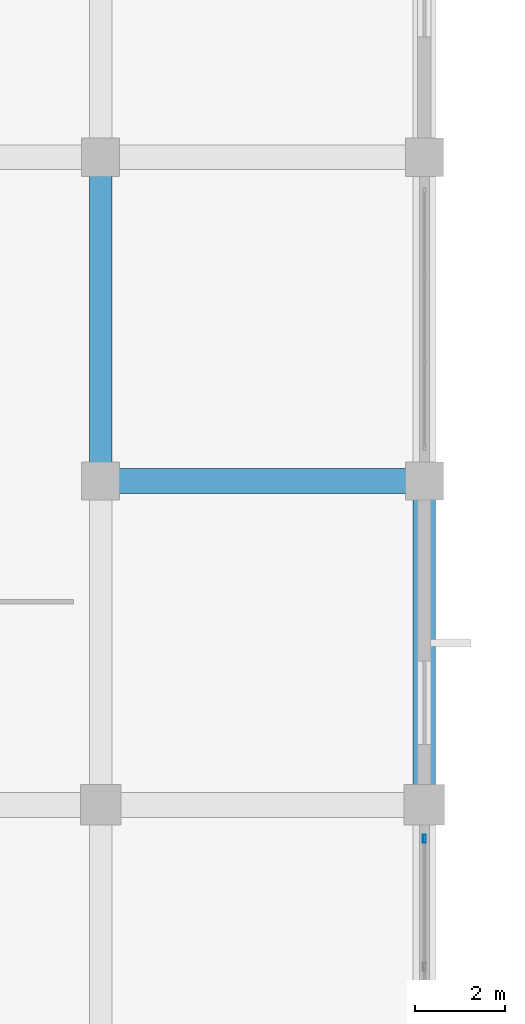
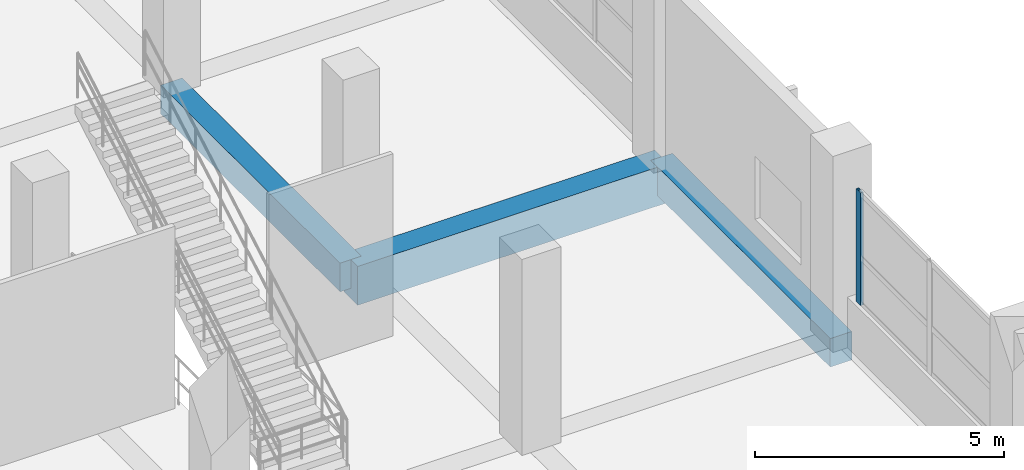
# One storey, part 58 of 181: 3 beams, 1 member, 1 element without a shape of its own.
"""IFC4 building model written with IfcOpenShell, lengths in metres."""

import ifcopenshell
import ifcopenshell.guid

model = None  # the IFC model being written
_history = None  # IfcOwnerHistory: only IFC2X3 demands one
_inside = {}  # id of a spatial element -> (the spatial element, [elements in it])
_under = {}  # id of a project, library or spatial element -> (it, [spatial elements below it])
_declared = {}  # id of a project -> (the project, [libraries it declares])
_typed = {}  # id of a type object -> (the type object, [elements of that type])
_made_of = {}  # id of a material, layer set ... -> (it, [elements and type objects made of it])


def new_model(schema):
    """Start an empty IFC model of exactly this schema.

    Asked for "IFC4X3", IfcOpenShell would pick the latest addendum, in which some entities
    have other attributes; the version numbers below select the first issue.
    IFC2X3 requires an IfcOwnerHistory on every rooted entity: one is made here for all.
    """
    global model, _history
    if schema == "IFC4X3":
        model = ifcopenshell.file(schema_version=(4, 3, 0, 0))
    else:
        model = ifcopenshell.file(schema=schema)
    _inside.clear()
    _under.clear()
    _declared.clear()
    _typed.clear()
    _made_of.clear()
    _history = None
    if model.schema == "IFC2X3":
        org = make("IfcOrganization", Name="unknown")
        user = make(
            "IfcPersonAndOrganization",
            ThePerson=make("IfcPerson", FamilyName="unknown"),
            TheOrganization=org,
        )
        app = make(
            "IfcApplication",
            ApplicationDeveloper=org,
            Version="unknown",
            ApplicationFullName="unknown",
            ApplicationIdentifier="unknown",
        )
        _history = make(
            "IfcOwnerHistory",
            OwningUser=user,
            OwningApplication=app,
            ChangeAction="ADDED",
            CreationDate=0,
        )
    return model


def make(cls, **values):
    """One entity of the class cls with the attributes given. An attribute that is None is left unset."""
    return model.create_entity(
        cls, **{name: value for name, value in values.items() if value is not None}
    )


def rooted(cls, **values):
    """An entity with a GlobalId (a new one), such as an element, a storey or a relation."""
    return make(cls, GlobalId=ifcopenshell.guid.new(), OwnerHistory=_history, **values)


def si_unit(unit_type, name, prefix=None):
    """IfcSIUnit, for example si_unit("LENGTHUNIT", "METRE", prefix="MILLI")."""
    return make("IfcSIUnit", UnitType=unit_type, Prefix=prefix, Name=name)


def assignment(units):
    """IfcUnitAssignment: the units of a project."""
    return None if units is None else make("IfcUnitAssignment", Units=units)


def point(xyz):
    """IfcCartesianPoint."""
    return None if xyz is None else make("IfcCartesianPoint", Coordinates=xyz)


def direction(xyz):
    """IfcDirection."""
    return None if xyz is None else make("IfcDirection", DirectionRatios=xyz)


def frame(location, z_axis=None, x_axis=None):
    """IfcAxis2Placement3D, a coordinate frame: its origin and axes. An axis left out is left unset."""
    return make(
        "IfcAxis2Placement3D",
        Location=point(location),
        Axis=direction(z_axis),
        RefDirection=direction(x_axis),
    )


def frame_2d(location, x_axis=None):
    """IfcAxis2Placement2D, a coordinate frame in the plane: its origin and x axis."""
    return make(
        "IfcAxis2Placement2D", Location=point(location), RefDirection=direction(x_axis)
    )


def origin():
    """The frame at (0, 0, 0) with its axes left unset."""
    return frame((0.0, 0.0, 0.0))


def origin_2d():
    """The frame at (0, 0) in the plane with its x axis left unset."""
    return frame_2d((0.0, 0.0))


def place(relative_to, where):
    """IfcLocalPlacement: puts the frame where relative to a parent placement (None: the world)."""
    return make(
        "IfcLocalPlacement", PlacementRelTo=relative_to, RelativePlacement=where
    )


def context(
    kind, dimensions, precision=None, world=None, true_north=None, identifier=None
):
    """IfcGeometricRepresentationContext, for example the 3D "Model" context."""
    return make(
        "IfcGeometricRepresentationContext",
        ContextIdentifier=identifier,
        ContextType=kind,
        CoordinateSpaceDimension=dimensions,
        Precision=precision,
        WorldCoordinateSystem=world,
        TrueNorth=true_north,
    )


def subcontext(parent, identifier, kind, view, scale=None):
    """IfcGeometricRepresentationSubContext, for example "Body" below "Model"."""
    return make(
        "IfcGeometricRepresentationSubContext",
        ContextIdentifier=identifier,
        ContextType=kind,
        ParentContext=parent,
        TargetScale=scale,
        TargetView=view,
    )


def project(units=None, contexts=None):
    """IfcProject with its units and contexts."""
    return rooted(
        "IfcProject",
        Name="project",
        RepresentationContexts=contexts,
        UnitsInContext=assignment(units),
    )


def spatial(cls, under=None, at=None, **own):
    """A site, building, storey or space (cls), placed at a placement, below another one or the project."""
    s = rooted(cls, ObjectPlacement=at, **own)
    if under is not None:
        _under.setdefault(under.id(), (under, []))[1].append(s)
    return s


def profile(cls, at=None, kind="AREA", **sizes):
    """A parametric profile (cls). Its sizes go by their IFC names, for example OverallWidth=200.0."""
    return make(cls, ProfileType=kind, Position=at, **sizes)


def rectangle(**sizes):
    """IfcRectangleProfileDef."""
    return profile("IfcRectangleProfileDef", **sizes)


def hollow_rectangle(**sizes):
    """IfcRectangleHollowProfileDef."""
    return profile("IfcRectangleHollowProfileDef", **sizes)


def extrude(swept, where, along, depth):
    """IfcExtrudedAreaSolid: the profile swept, set in the frame where, extruded along a direction by depth."""
    return make(
        "IfcExtrudedAreaSolid",
        SweptArea=swept,
        Position=where,
        ExtrudedDirection=direction(along),
        Depth=depth,
    )


def shape(context_of_items, identifier, shape_type, items):
    """IfcShapeRepresentation: the items that make up one representation, for example the "Body"."""
    return make(
        "IfcShapeRepresentation",
        ContextOfItems=context_of_items,
        RepresentationIdentifier=identifier,
        RepresentationType=shape_type,
        Items=items,
    )


def material(Name=None, Category=None):
    """IfcMaterial."""
    return make("IfcMaterial", Name=Name, Category=Category)


def layer(
    of_material, thickness, ventilated=None, Name=None, Category=None, Priority=None
):
    """IfcMaterialLayer: one layer of a wall or slab, of a material (None: an air gap)."""
    return make(
        "IfcMaterialLayer",
        Material=of_material,
        LayerThickness=thickness,
        IsVentilated=ventilated,
        Name=Name,
        Category=Category,
        Priority=Priority,
    )


def layer_set(layers, Name=None):
    """IfcMaterialLayerSet."""
    return make("IfcMaterialLayerSet", MaterialLayers=layers, LayerSetName=Name)


def material_profile(
    of_material, cross_section, Name=None, Category=None, Priority=None
):
    """IfcMaterialProfile: a cross section and its material."""
    return make(
        "IfcMaterialProfile",
        Name=Name,
        Material=of_material,
        Profile=cross_section,
        Priority=Priority,
        Category=Category,
    )


def profile_set(profiles, Name=None, composite=None):
    """IfcMaterialProfileSet."""
    return make(
        "IfcMaterialProfileSet",
        Name=Name,
        MaterialProfiles=profiles,
        CompositeProfile=composite,
    )


def made_of(thing, what):
    """Note that an element or type object is made of a material, layer set ...; save() writes the relation."""
    if what is not None:
        _made_of.setdefault(what.id(), (what, []))[1].append(thing)
    return thing


def type_object(cls, material=None, **own):
    """A type object (cls), such as IfcWallType, which elements share."""
    return made_of(rooted(cls, **own), material)


def element(
    cls,
    number,
    at=None,
    inside=None,
    cuts=None,
    type_object=None,
    material=None,
    context=None,
    identifier="Body",
    shape_type=None,
    held_by="IfcProductDefinitionShape",
    body=None,
    shapes=None,
    **own,
):
    """One element of the class cls, such as IfcWall. Its Tag is "e" and its number.

    at: its placement. inside: the storey or other place that contains it. cuts: it is an
    opening in that element (IfcRelVoidsElement). A single representation is given by context,
    identifier, shape_type and body (its items); several are given by shapes. held_by: the class
    of the entity that holds the representations. save() writes the other relations.
    """
    e = rooted(cls, Tag="e%d" % number, ObjectPlacement=at, **own)
    if body is not None:
        shapes = [shape(context, identifier, shape_type, body)]
    if shapes is not None:
        e.Representation = make(held_by, Representations=shapes)
    if inside is not None:
        _inside.setdefault(inside.id(), (inside, []))[1].append(e)
    if cuts is not None:
        rooted(
            "IfcRelVoidsElement", RelatingBuildingElement=cuts, RelatedOpeningElement=e
        )
    if type_object is not None:
        _typed.setdefault(type_object.id(), (type_object, []))[1].append(e)
    return made_of(e, material)


def aggregate(whole, parts):
    """IfcRelAggregates: a whole, such as a stair, and the parts it consists of."""
    return rooted("IfcRelAggregates", RelatingObject=whole, RelatedObjects=parts)


def save(model, path):
    """Write the relations noted so far, then the file.

    IfcRelAggregates (storeys below a building ...), IfcRelContainedInSpatialStructure (elements
    in a storey), IfcRelDefinesByType, IfcRelAssociatesMaterial and IfcRelDeclares: one each for
    every whole, place, type object, material and project.
    """
    for whole, parts in _under.values():
        aggregate(whole, parts)
    for where, things in _inside.values():
        rooted(
            "IfcRelContainedInSpatialStructure",
            RelatedElements=things,
            RelatingStructure=where,
        )
    for kind, things in _typed.values():
        rooted("IfcRelDefinesByType", RelatedObjects=things, RelatingType=kind)
    for what, things in _made_of.values():
        rooted("IfcRelAssociatesMaterial", RelatedObjects=things, RelatingMaterial=what)
    for by, libraries in _declared.values():
        rooted("IfcRelDeclares", RelatingContext=by, RelatedDefinitions=libraries)
    model.write(path)


model = new_model("IFC4")

# Units and contexts
model_context = context("Model", 3, precision=1e-05, world=origin(), true_north=direction((0.0, 1.0)))
body_context = subcontext(model_context, "Body", "Model", "MODEL_VIEW")
ifc_project = project(units=[si_unit("LENGTHUNIT", "METRE"), si_unit("AREAUNIT", "SQUARE_METRE"), si_unit("VOLUMEUNIT", "CUBIC_METRE"), si_unit("PLANEANGLEUNIT", "RADIAN"), si_unit("MASSUNIT", "GRAM", prefix="KILO")], contexts=[model_context])

# Site, building, storey
site_placement = place(None, origin())
site = spatial("IfcSite", under=ifc_project, at=site_placement, CompositionType="ELEMENT")
building_placement = place(site_placement, origin())
building = spatial("IfcBuilding", under=site, at=building_placement, Name="Seraya Terrace Polytechnic", CompositionType="ELEMENT")
storey_placement = place(building_placement, frame((0.0, 0.0, 4.800048828125)))
storey = spatial("IfcBuildingStorey", under=building, at=storey_placement, Name="L01", CompositionType="ELEMENT", Elevation=4.800048828125)

# Beams
ifc_material_1 = material(Name="Concrete C40/50", Category="concrete")
ifc_material_profile_1 = material_profile(ifc_material_1, rectangle(XDim=0.550048828125, YDim=0.949951171875, at=origin_2d()), Name="RC 550x950")
ifc_profile_set_1 = profile_set([ifc_material_profile_1], Name="Concrete C40/50")
beam_type_1 = type_object("IfcBeamType", Name="BM-03", PredefinedType="BEAM", material=ifc_profile_set_1)
beam_1_placement = place(storey_placement, frame((100.800048828125, 57.60009765625, -0.47509765625), z_axis=(1.0, 0.0, 0.0), x_axis=(0.0, 1.0, 0.0)))
element("IfcBeam", 1, at=beam_1_placement, inside=storey, type_object=beam_type_1, Name="Beam BM-03 L01 X (100.8..108.0, 57.6)", PredefinedType="BEAM", context=body_context, shape_type="SweptSolid", body=[
    extrude(rectangle(XDim=0.550048828125, YDim=0.949951171875, at=origin_2d()), origin(), (0.0, 0.0, 1.0), 7.199951171875),
])
ifc_material_profile_2 = material_profile(ifc_material_1, rectangle(XDim=0.5, YDim=0.699951171875, at=origin_2d()), Name="RC 500x700")
ifc_profile_set_2 = profile_set([ifc_material_profile_2], Name="Concrete C40/50")
beam_type_2 = type_object("IfcBeamType", Name="BM-07", PredefinedType="BEAM", material=ifc_profile_set_2)
beam_2_placement = place(storey_placement, frame((100.800048828125, 57.60009765625, -0.35009765625), z_axis=(0.0, 1.0, 0.0), x_axis=(-1.0, 0.0, 0.0)))
element("IfcBeam", 2, at=beam_2_placement, inside=storey, type_object=beam_type_2, Name="Beam BM-07 L01 Y (100.8, 57.6..64.8)", PredefinedType="BEAM", context=body_context, shape_type="SweptSolid", body=[
    extrude(rectangle(XDim=0.5, YDim=0.699951171875, at=origin_2d()), origin(), (0.0, 0.0, 1.0), 7.199951171875),
])
beam_3_placement = place(storey_placement, frame((108.0, 50.39990234375, -0.35009765625), z_axis=(0.0, 1.0, 0.0), x_axis=(-1.0, 0.0, 0.0)))
element("IfcBeam", 3, at=beam_3_placement, inside=storey, type_object=beam_type_2, Name="Beam BM-07 L01 Y (108.0, 50.4..57.6)", PredefinedType="BEAM", context=body_context, shape_type="SweptSolid", body=[
    extrude(rectangle(XDim=0.5, YDim=0.699951171875, at=origin_2d()), origin(), (0.0, 0.0, 1.0), 7.2001953125),
])

# Curtain wall, member
ifc_material_2 = material(Name="Anodised aluminium EN AW-6063 T6", Category="aluminium")
ifc_layer = layer(ifc_material_2, 0.179931640625, Name="CW-16")
ifc_layer_set = layer_set([ifc_layer], Name="Anodised aluminium EN AW-6063 T6")
curtain_wall_type = type_object("IfcCurtainWallType", Name="CW-16", PredefinedType="NOTDEFINED", material=ifc_layer_set)
curtain_wall_placement = place(storey_placement, origin())
curtain_wall = element("IfcCurtainWall", 4, at=curtain_wall_placement, inside=storey, type_object=curtain_wall_type, Name="Unitised curtain wall CW-16 (CW-L01-052)", PredefinedType="NOTDEFINED")
ifc_material_profile_3 = material_profile(ifc_material_2, hollow_rectangle(XDim=0.06494140625, YDim=0.179931640625, WallThickness=0.00390625, at=origin_2d()), Name="RHS 180x65x4.0")
ifc_profile_set_3 = profile_set([ifc_material_profile_3], Name="Anodised aluminium EN AW-6063 T6")
member_type = type_object("IfcMemberType", Name="CWM-01", PredefinedType="MULLION", material=ifc_profile_set_3)
member_placement = place(storey_placement, frame((108.0, 49.6474609375, 1.239990234375), z_axis=(0.0, 0.0, 1.0), x_axis=(1.0, 0.0, 0.0)))
member = element("IfcMember", 5, at=member_placement, type_object=member_type, Name="CW-16 mullion 1", PredefinedType="MULLION", context=body_context, shape_type="SweptSolid", body=[
    extrude(hollow_rectangle(XDim=0.06494140625, YDim=0.179931640625, WallThickness=0.00390625, at=origin_2d()), origin(), (0.0, 0.0, 1.0), 2.760009765625),
])
aggregate(curtain_wall, [member])

save(model, "model.ifc")
